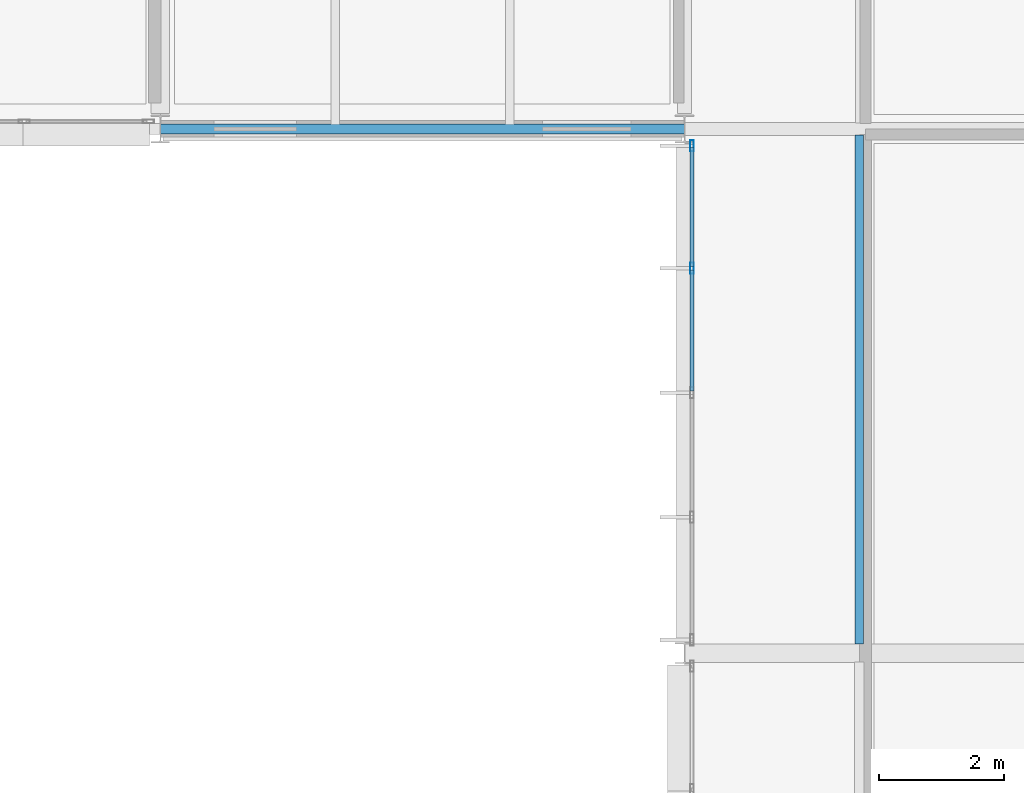
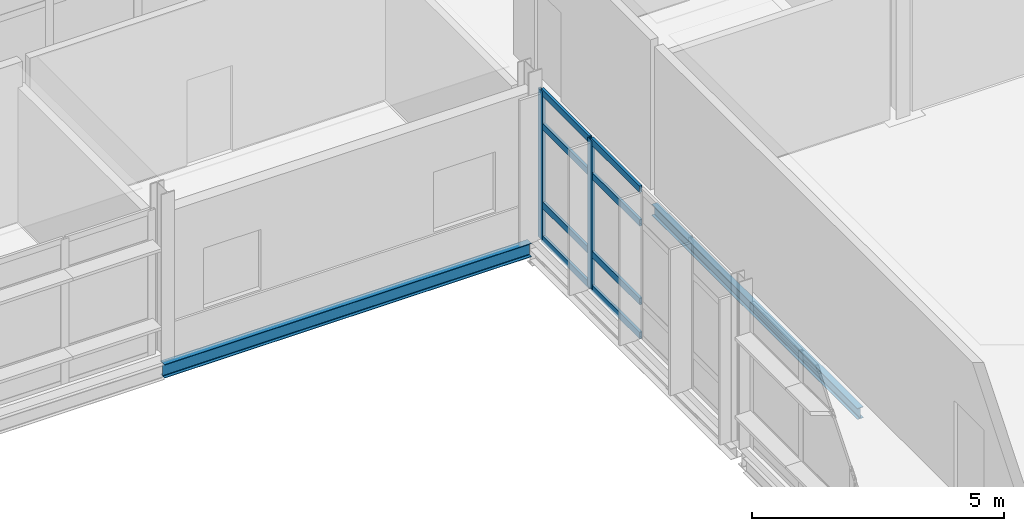
# One storey, part 68 of 131: 10 members, 2 beams, 1 element without a shape of its own.
"""IFC4 building model written with IfcOpenShell, lengths in metres."""

from ifc_helpers import new_model, si_unit, direction, frame, origin, origin_2d, place, context, subcontext, project, spatial, hollow_rectangle, i_section, extrude, material, material_profile, profile_set, type_object, element, aggregate, save


model = new_model("IFC4")

# Units and contexts
model_context = context("Model", 3, precision=1e-05, world=origin(), true_north=direction((0.0, 1.0)))
body_context = subcontext(model_context, "Body", "Model", "MODEL_VIEW")
ifc_project = project(units=[si_unit("LENGTHUNIT", "METRE"), si_unit("AREAUNIT", "SQUARE_METRE"), si_unit("VOLUMEUNIT", "CUBIC_METRE"), si_unit("PLANEANGLEUNIT", "RADIAN"), si_unit("MASSUNIT", "GRAM", prefix="KILO")], contexts=[model_context])

# Site, building, storey
site_placement = place(None, origin())
site = spatial("IfcSite", under=ifc_project, at=site_placement, CompositionType="ELEMENT")
building_placement = place(site_placement, origin())
building = spatial("IfcBuilding", under=site, at=building_placement, Name="Mersafa Astral City Hall", CompositionType="ELEMENT")
storey_placement = place(building_placement, frame((0.0, 0.0, 13.949951171875)))
storey = spatial("IfcBuildingStorey", under=building, at=storey_placement, Name="L03", CompositionType="ELEMENT", Elevation=13.949951171875)

# Curtain wall, members
ifc_material_1 = material(Name="Anodised bronze aluminium framing", Category="aluminium")
curtain_wall_type = type_object("IfcCurtainWallType", Name="ENV-CW-3", PredefinedType="USERDEFINED", material=ifc_material_1)
curtain_wall_placement = place(storey_placement, origin())
curtain_wall = element("IfcCurtainWall", 1, at=curtain_wall_placement, inside=storey, type_object=curtain_wall_type, Name="L03 Unitised solar curtain wall 182", ObjectType="UNITISED CURTAIN WALL", PredefinedType="USERDEFINED")
ifc_material_profile_1 = material_profile(ifc_material_1, hollow_rectangle(XDim=0.06005859375, YDim=0.179931640625, WallThickness=0.00390625, at=origin_2d()), Name="RHS 60x180x4")
ifc_profile_set_1 = profile_set([ifc_material_profile_1], Name="Anodised bronze aluminium framing")
member_type_1 = type_object("IfcMemberType", Name="ENV-CW-MUL-1", PredefinedType="MULLION", material=ifc_profile_set_1)
member_1_placement = place(storey_placement, frame((100.919921875, 117.3330078125, -0.001953125), z_axis=(0.0, 0.0, 1.0), x_axis=(1.0, 0.0, 0.0)))
member_1 = element("IfcMember", 2, at=member_1_placement, type_object=member_type_1, Name="CW-3 mullion 1", PredefinedType="MULLION", context=body_context, shape_type="SweptSolid", body=[
    extrude(hollow_rectangle(XDim=0.06005859375, YDim=0.179931640625, WallThickness=0.00390625, at=origin_2d()), origin(), (0.0, 0.0, 1.0), 3.593994140625),
])
member_2_placement = place(storey_placement, frame((100.919921875, 115.36767578125, -0.001953125), z_axis=(0.0, 0.0, 1.0), x_axis=(1.0, 0.0, 0.0)))
member_2 = element("IfcMember", 3, at=member_2_placement, type_object=member_type_1, Name="CW-3 mullion 2", PredefinedType="MULLION", context=body_context, shape_type="SweptSolid", body=[
    extrude(hollow_rectangle(XDim=0.06005859375, YDim=0.179931640625, WallThickness=0.00390625, at=origin_2d()), origin(), (0.0, 0.0, 1.0), 3.593994140625),
])
ifc_material_profile_2 = material_profile(ifc_material_1, hollow_rectangle(XDim=0.06005859375, YDim=0.159912109375, WallThickness=0.00390625, at=origin_2d()), Name="RHS 60x160x4")
ifc_profile_set_2 = profile_set([ifc_material_profile_2], Name="Anodised bronze aluminium framing")
member_type_2 = type_object("IfcMemberType", Name="ENV-CW-TRN-2", PredefinedType="USERDEFINED", material=ifc_profile_set_2)
member_3_placement = place(storey_placement, frame((100.919921875, 117.302978515625, 0.028076171875), z_axis=(0.0, -1.0, 0.0), x_axis=(1.0, 0.0, 0.0)))
member_3 = element("IfcMember", 4, at=member_3_placement, type_object=member_type_2, Name="CW-3 transom 1.1", ObjectType="TRANSOM", PredefinedType="USERDEFINED", context=body_context, shape_type="SweptSolid", body=[
    extrude(hollow_rectangle(XDim=0.06005859375, YDim=0.159912109375, WallThickness=0.00390625, at=origin_2d()), origin(), (0.0, 0.0, 1.0), 1.9052734375),
])
member_4_placement = place(storey_placement, frame((100.919921875, 117.302978515625, 0.85009765625), z_axis=(0.0, -1.0, 0.0), x_axis=(1.0, 0.0, 0.0)))
member_4 = element("IfcMember", 5, at=member_4_placement, type_object=member_type_2, Name="CW-3 transom 1.2", ObjectType="TRANSOM", PredefinedType="USERDEFINED", context=body_context, shape_type="SweptSolid", body=[
    extrude(hollow_rectangle(XDim=0.06005859375, YDim=0.159912109375, WallThickness=0.00390625, at=origin_2d()), origin(), (0.0, 0.0, 1.0), 1.9052734375),
])
member_5_placement = place(storey_placement, frame((100.919921875, 117.302978515625, 2.75), z_axis=(0.0, -1.0, 0.0), x_axis=(1.0, 0.0, 0.0)))
member_5 = element("IfcMember", 6, at=member_5_placement, type_object=member_type_2, Name="CW-3 transom 1.3", ObjectType="TRANSOM", PredefinedType="USERDEFINED", context=body_context, shape_type="SweptSolid", body=[
    extrude(hollow_rectangle(XDim=0.06005859375, YDim=0.159912109375, WallThickness=0.00390625, at=origin_2d()), origin(), (0.0, 0.0, 1.0), 1.9052734375),
])
member_6_placement = place(storey_placement, frame((100.919921875, 117.302978515625, 3.56201171875), z_axis=(0.0, -1.0, 0.0), x_axis=(1.0, 0.0, 0.0)))
member_6 = element("IfcMember", 7, at=member_6_placement, type_object=member_type_2, Name="CW-3 transom 1.4", ObjectType="TRANSOM", PredefinedType="USERDEFINED", context=body_context, shape_type="SweptSolid", body=[
    extrude(hollow_rectangle(XDim=0.06005859375, YDim=0.159912109375, WallThickness=0.00390625, at=origin_2d()), origin(), (0.0, 0.0, 1.0), 1.9052734375),
])
member_7_placement = place(storey_placement, frame((100.919921875, 115.337646484375, 0.028076171875), z_axis=(0.0, -1.0, 0.0), x_axis=(1.0, 0.0, 0.0)))
member_7 = element("IfcMember", 8, at=member_7_placement, type_object=member_type_2, Name="CW-3 transom 2.1", ObjectType="TRANSOM", PredefinedType="USERDEFINED", context=body_context, shape_type="SweptSolid", body=[
    extrude(hollow_rectangle(XDim=0.06005859375, YDim=0.159912109375, WallThickness=0.00390625, at=origin_2d()), origin(), (0.0, 0.0, 1.0), 1.93505859375),
])
member_8_placement = place(storey_placement, frame((100.919921875, 115.337646484375, 0.85009765625), z_axis=(0.0, -1.0, 0.0), x_axis=(1.0, 0.0, 0.0)))
member_8 = element("IfcMember", 9, at=member_8_placement, type_object=member_type_2, Name="CW-3 transom 2.2", ObjectType="TRANSOM", PredefinedType="USERDEFINED", context=body_context, shape_type="SweptSolid", body=[
    extrude(hollow_rectangle(XDim=0.06005859375, YDim=0.159912109375, WallThickness=0.00390625, at=origin_2d()), origin(), (0.0, 0.0, 1.0), 1.93505859375),
])
member_9_placement = place(storey_placement, frame((100.919921875, 115.337646484375, 2.75), z_axis=(0.0, -1.0, 0.0), x_axis=(1.0, 0.0, 0.0)))
member_9 = element("IfcMember", 10, at=member_9_placement, type_object=member_type_2, Name="CW-3 transom 2.3", ObjectType="TRANSOM", PredefinedType="USERDEFINED", context=body_context, shape_type="SweptSolid", body=[
    extrude(hollow_rectangle(XDim=0.06005859375, YDim=0.159912109375, WallThickness=0.00390625, at=origin_2d()), origin(), (0.0, 0.0, 1.0), 1.93505859375),
])
member_10_placement = place(storey_placement, frame((100.919921875, 115.337646484375, 3.56201171875), z_axis=(0.0, -1.0, 0.0), x_axis=(1.0, 0.0, 0.0)))
member_10 = element("IfcMember", 11, at=member_10_placement, type_object=member_type_2, Name="CW-3 transom 2.4", ObjectType="TRANSOM", PredefinedType="USERDEFINED", context=body_context, shape_type="SweptSolid", body=[
    extrude(hollow_rectangle(XDim=0.06005859375, YDim=0.159912109375, WallThickness=0.00390625, at=origin_2d()), origin(), (0.0, 0.0, 1.0), 1.93505859375),
])
aggregate(curtain_wall, [member_1, member_2, member_3, member_4, member_5, member_6, member_7, member_8, member_9, member_10])

# Beams
ifc_material_2 = material(Name="Steel S355", Category="steel")
ifc_material_profile_3 = material_profile(ifc_material_2, i_section(OverallWidth=0.135009765625, OverallDepth=0.27001953125, WebThickness=0.006591796875, FlangeThickness=0.01025390625, FilletRadius=0.014892578125, at=origin_2d()), Name="IPE 270")
ifc_profile_set_3 = profile_set([ifc_material_profile_3], Name="Steel S355")
beam_type_1 = type_object("IfcBeamType", Name="STR-BM-JOIST-IPE270", PredefinedType="JOIST", material=ifc_profile_set_3)
beam_1_placement = place(storey_placement, frame((103.60009765625, 109.344970703125, -0.3349609375), z_axis=(0.0, 1.0, 0.0), x_axis=(-1.0, 0.0, 0.0)))
element("IfcBeam", 12, at=beam_1_placement, inside=storey, type_object=beam_type_1, Name="L03 Composite secondary floor joist 602", PredefinedType="JOIST", context=body_context, shape_type="SweptSolid", body=[
    extrude(i_section(OverallWidth=0.135009765625, OverallDepth=0.27001953125, WebThickness=0.006591796875, FlangeThickness=0.01025390625, FilletRadius=0.014892578125, at=origin_2d()), origin(), (0.0, 0.0, 1.0), 8.155029296875),
])
ifc_material_profile_4 = material_profile(ifc_material_2, i_section(OverallWidth=0.159912109375, OverallDepth=0.330078125, WebThickness=0.007568359375, FlangeThickness=0.011474609375, FilletRadius=0.01806640625, at=origin_2d()), Name="IPE 330")
ifc_profile_set_4 = profile_set([ifc_material_profile_4], Name="Steel S355")
beam_type_2 = type_object("IfcBeamType", Name="STR-BM-SPANDREL-IPE330", PredefinedType="SPANDREL", material=ifc_profile_set_4)
beam_2_placement = place(storey_placement, frame((92.403076171875, 117.60009765625, -0.364990234375), z_axis=(1.0, 0.0, 0.0), x_axis=(0.0, 1.0, 0.0)))
element("IfcBeam", 13, at=beam_2_placement, inside=storey, type_object=beam_type_2, Name="L03 Primary girder X 11-14", PredefinedType="SPANDREL", context=body_context, shape_type="SweptSolid", body=[
    extrude(i_section(OverallWidth=0.159912109375, OverallDepth=0.330078125, WebThickness=0.007568359375, FlangeThickness=0.011474609375, FilletRadius=0.01806640625, at=origin_2d()), origin(), (0.0, 0.0, 1.0), 8.39404296875),
])

save(model, "model.ifc")
